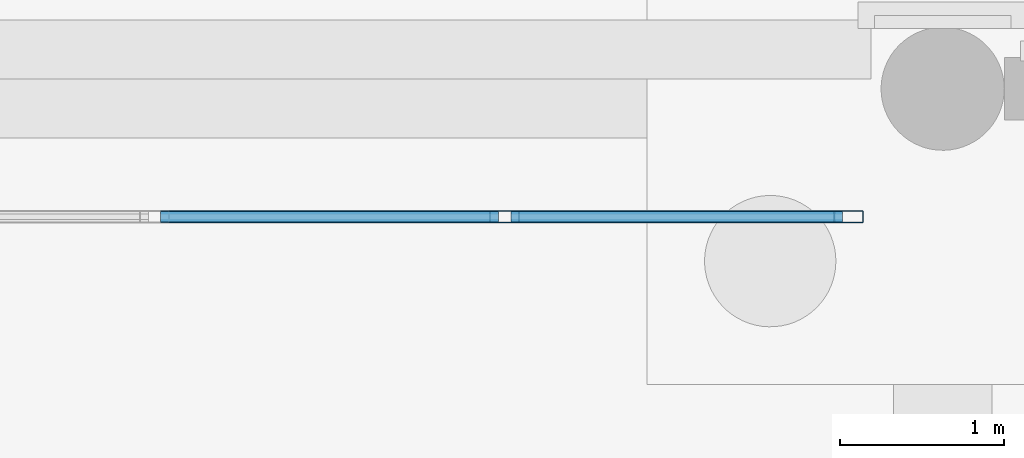
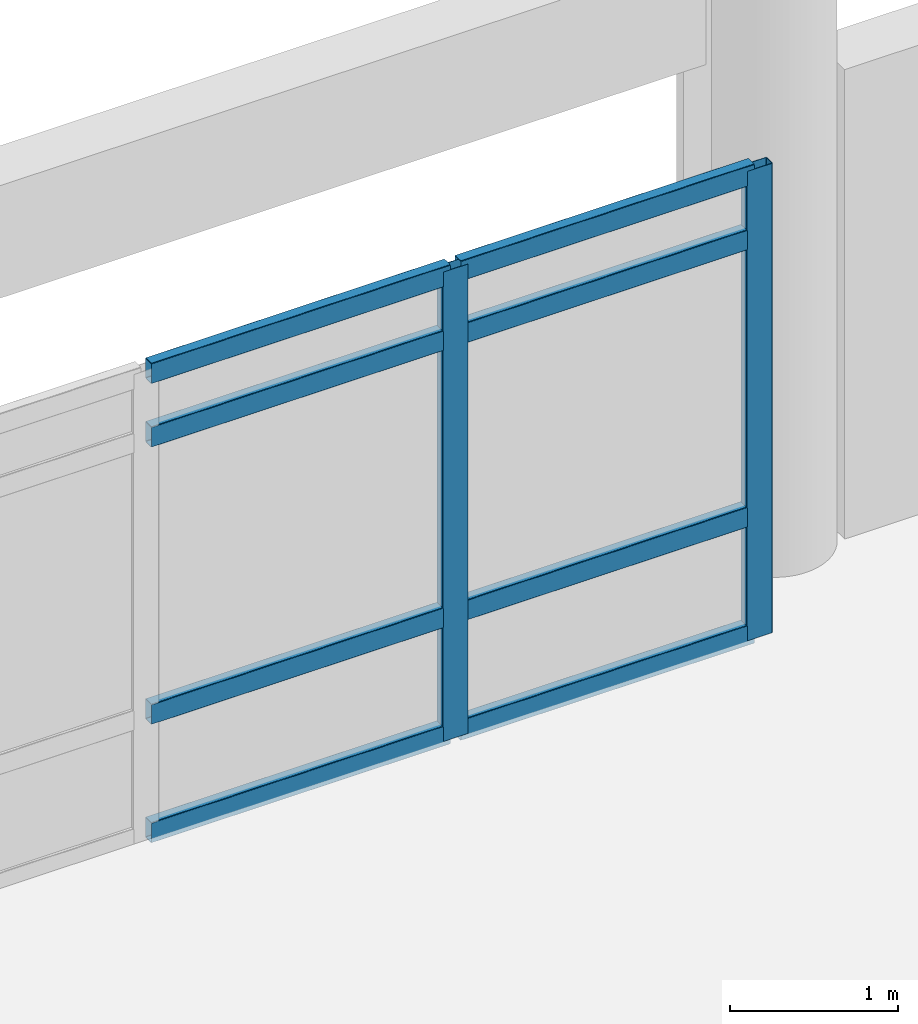
# One storey, part 117 of 196: 10 members, 1 element without a shape of its own.
"""IFC4 building model written with IfcOpenShell, lengths in metres."""

from ifc_helpers import new_model, si_unit, direction, frame, origin, origin_2d, place, context, subcontext, project, spatial, hollow_rectangle, extrude, material, layer, layer_set, material_profile, profile_set, type_object, element, aggregate, save


model = new_model("IFC4")

# Units and contexts
model_context = context("Model", 3, precision=1e-05, world=origin(), true_north=direction((0.0, 1.0)))
body_context = subcontext(model_context, "Body", "Model", "MODEL_VIEW")
ifc_project = project(units=[si_unit("LENGTHUNIT", "METRE"), si_unit("AREAUNIT", "SQUARE_METRE"), si_unit("VOLUMEUNIT", "CUBIC_METRE"), si_unit("PLANEANGLEUNIT", "RADIAN"), si_unit("MASSUNIT", "GRAM", prefix="KILO")], contexts=[model_context])

# Site, building, storey
site_placement = place(None, origin())
site = spatial("IfcSite", under=ifc_project, at=site_placement, CompositionType="ELEMENT")
building_placement = place(site_placement, origin())
building = spatial("IfcBuilding", under=site, at=building_placement, Name="Asteropetra Specialist Clinic", CompositionType="ELEMENT")
storey_placement = place(building_placement, origin())
storey = spatial("IfcBuildingStorey", under=building, at=storey_placement, Name="L00", CompositionType="ELEMENT", Elevation=0.0)

# Curtain wall, members
ifc_material_1 = material(Name="Aluminium and low-E glass", Category="aluminium")
ifc_layer = layer(ifc_material_1, 0.179931640625)
ifc_layer_set = layer_set([ifc_layer], Name="Aluminium and low-E glass")
curtain_wall_type = type_object("IfcCurtainWallType", Name="CW-SYS-10", PredefinedType="USERDEFINED", material=ifc_layer_set)
curtain_wall_placement = place(storey_placement, origin())
curtain_wall = element("IfcCurtainWall", 1, at=curtain_wall_placement, inside=storey, type_object=curtain_wall_type, Name="Curtain Wall CW-186", ObjectType="STICK GLAZED COLONNADE", PredefinedType="USERDEFINED")
ifc_material_2 = material(Name="Aluminium 6063-T6", Category="aluminium")
ifc_material_profile_1 = material_profile(ifc_material_2, hollow_rectangle(XDim=0.074951171875, YDim=0.179931640625, WallThickness=0.00390625, InnerFilletRadius=0.00390625, OuterFilletRadius=0.008056640625, at=origin_2d()), Name="MUL 180x75x4.0")
ifc_profile_set_1 = profile_set([ifc_material_profile_1], Name="Aluminium 6063-T6")
member_type_1 = type_object("IfcMemberType", Name="CWM-180x75", PredefinedType="MULLION", material=ifc_profile_set_1)
member_1_placement = place(storey_placement, frame((66.62744140625, 109.6201171875, 0.0), z_axis=(0.0, 0.0, 1.0), x_axis=(0.0, -1.0, 0.0)))
member_1 = element("IfcMember", 2, at=member_1_placement, type_object=member_type_1, Name="CW-186 mullion 1", PredefinedType="MULLION", context=body_context, shape_type="SweptSolid", body=[
    extrude(hollow_rectangle(XDim=0.074951171875, YDim=0.179931640625, WallThickness=0.00390625, InnerFilletRadius=0.00390625, OuterFilletRadius=0.008056640625, at=origin_2d()), origin(), (0.0, 0.0, 1.0), 3.419921875),
])
member_2_placement = place(storey_placement, frame((64.532470703125, 109.6201171875, 0.0), z_axis=(0.0, 0.0, 1.0), x_axis=(0.0, -1.0, 0.0)))
member_2 = element("IfcMember", 3, at=member_2_placement, type_object=member_type_1, Name="CW-186 mullion 2", PredefinedType="MULLION", context=body_context, shape_type="SweptSolid", body=[
    extrude(hollow_rectangle(XDim=0.074951171875, YDim=0.179931640625, WallThickness=0.00390625, InnerFilletRadius=0.00390625, OuterFilletRadius=0.008056640625, at=origin_2d()), origin(), (0.0, 0.0, 1.0), 3.419921875),
])
ifc_material_3 = material(Name="Aluminium 6063-T6", Category="aluminium")
ifc_material_profile_2 = material_profile(ifc_material_3, hollow_rectangle(XDim=0.074951171875, YDim=0.14990234375, WallThickness=0.00390625, InnerFilletRadius=0.00390625, OuterFilletRadius=0.008056640625, at=origin_2d()), Name="TRN 150x75x4.0")
ifc_profile_set_2 = profile_set([ifc_material_profile_2], Name="Aluminium 6063-T6")
member_type_2 = type_object("IfcMemberType", Name="CWT-150x75", PredefinedType="USERDEFINED", material=ifc_profile_set_2)
member_3_placement = place(storey_placement, frame((66.590087890625, 109.6201171875, 0.03759765625), z_axis=(-1.0, 0.0, 0.0), x_axis=(0.0, -1.0, 0.0)))
member_3 = element("IfcMember", 4, at=member_3_placement, type_object=member_type_2, Name="CW-186 transom 1.1", ObjectType="TRANSOM", PredefinedType="USERDEFINED", context=body_context, shape_type="SweptSolid", body=[
    extrude(hollow_rectangle(XDim=0.074951171875, YDim=0.14990234375, WallThickness=0.00390625, InnerFilletRadius=0.00390625, OuterFilletRadius=0.008056640625, at=origin_2d()), origin(), (0.0, 0.0, 1.0), 2.02001953125),
])
member_4_placement = place(storey_placement, frame((66.590087890625, 109.6201171875, 0.89990234375), z_axis=(-1.0, 0.0, 0.0), x_axis=(0.0, -1.0, 0.0)))
member_4 = element("IfcMember", 5, at=member_4_placement, type_object=member_type_2, Name="CW-186 transom 1.2", ObjectType="TRANSOM", PredefinedType="USERDEFINED", context=body_context, shape_type="SweptSolid", body=[
    extrude(hollow_rectangle(XDim=0.074951171875, YDim=0.14990234375, WallThickness=0.00390625, InnerFilletRadius=0.00390625, OuterFilletRadius=0.008056640625, at=origin_2d()), origin(), (0.0, 0.0, 1.0), 2.02001953125),
])
member_5_placement = place(storey_placement, frame((66.590087890625, 109.6201171875, 2.919921875), z_axis=(-1.0, 0.0, 0.0), x_axis=(0.0, -1.0, 0.0)))
member_5 = element("IfcMember", 6, at=member_5_placement, type_object=member_type_2, Name="CW-186 transom 1.3", ObjectType="TRANSOM", PredefinedType="USERDEFINED", context=body_context, shape_type="SweptSolid", body=[
    extrude(hollow_rectangle(XDim=0.074951171875, YDim=0.14990234375, WallThickness=0.00390625, InnerFilletRadius=0.00390625, OuterFilletRadius=0.008056640625, at=origin_2d()), origin(), (0.0, 0.0, 1.0), 2.02001953125),
])
member_6_placement = place(storey_placement, frame((66.590087890625, 109.6201171875, 3.382568359375), z_axis=(-1.0, 0.0, 0.0), x_axis=(0.0, -1.0, 0.0)))
member_6 = element("IfcMember", 7, at=member_6_placement, type_object=member_type_2, Name="CW-186 transom 1.4", ObjectType="TRANSOM", PredefinedType="USERDEFINED", context=body_context, shape_type="SweptSolid", body=[
    extrude(hollow_rectangle(XDim=0.074951171875, YDim=0.14990234375, WallThickness=0.00390625, InnerFilletRadius=0.00390625, OuterFilletRadius=0.008056640625, at=origin_2d()), origin(), (0.0, 0.0, 1.0), 2.02001953125),
])
member_7_placement = place(storey_placement, frame((64.4951171875, 109.6201171875, 0.03759765625), z_axis=(-1.0, 0.0, 0.0), x_axis=(0.0, -1.0, 0.0)))
member_7 = element("IfcMember", 8, at=member_7_placement, type_object=member_type_2, Name="CW-186 transom 2.1", ObjectType="TRANSOM", PredefinedType="USERDEFINED", context=body_context, shape_type="SweptSolid", body=[
    extrude(hollow_rectangle(XDim=0.074951171875, YDim=0.14990234375, WallThickness=0.00390625, InnerFilletRadius=0.00390625, OuterFilletRadius=0.008056640625, at=origin_2d()), origin(), (0.0, 0.0, 1.0), 2.0576171875),
])
member_8_placement = place(storey_placement, frame((64.4951171875, 109.6201171875, 0.89990234375), z_axis=(-1.0, 0.0, 0.0), x_axis=(0.0, -1.0, 0.0)))
member_8 = element("IfcMember", 9, at=member_8_placement, type_object=member_type_2, Name="CW-186 transom 2.2", ObjectType="TRANSOM", PredefinedType="USERDEFINED", context=body_context, shape_type="SweptSolid", body=[
    extrude(hollow_rectangle(XDim=0.074951171875, YDim=0.14990234375, WallThickness=0.00390625, InnerFilletRadius=0.00390625, OuterFilletRadius=0.008056640625, at=origin_2d()), origin(), (0.0, 0.0, 1.0), 2.0576171875),
])
member_9_placement = place(storey_placement, frame((64.4951171875, 109.6201171875, 2.919921875), z_axis=(-1.0, 0.0, 0.0), x_axis=(0.0, -1.0, 0.0)))
member_9 = element("IfcMember", 10, at=member_9_placement, type_object=member_type_2, Name="CW-186 transom 2.3", ObjectType="TRANSOM", PredefinedType="USERDEFINED", context=body_context, shape_type="SweptSolid", body=[
    extrude(hollow_rectangle(XDim=0.074951171875, YDim=0.14990234375, WallThickness=0.00390625, InnerFilletRadius=0.00390625, OuterFilletRadius=0.008056640625, at=origin_2d()), origin(), (0.0, 0.0, 1.0), 2.0576171875),
])
member_10_placement = place(storey_placement, frame((64.4951171875, 109.6201171875, 3.382568359375), z_axis=(-1.0, 0.0, 0.0), x_axis=(0.0, -1.0, 0.0)))
member_10 = element("IfcMember", 11, at=member_10_placement, type_object=member_type_2, Name="CW-186 transom 2.4", ObjectType="TRANSOM", PredefinedType="USERDEFINED", context=body_context, shape_type="SweptSolid", body=[
    extrude(hollow_rectangle(XDim=0.074951171875, YDim=0.14990234375, WallThickness=0.00390625, InnerFilletRadius=0.00390625, OuterFilletRadius=0.008056640625, at=origin_2d()), origin(), (0.0, 0.0, 1.0), 2.0576171875),
])
aggregate(curtain_wall, [member_1, member_2, member_3, member_4, member_5, member_6, member_7, member_8, member_9, member_10])

save(model, "model.ifc")
